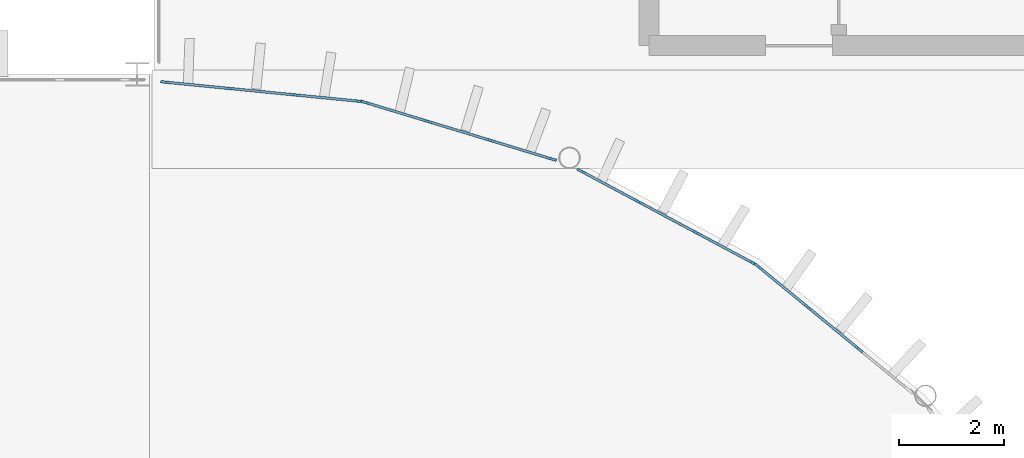
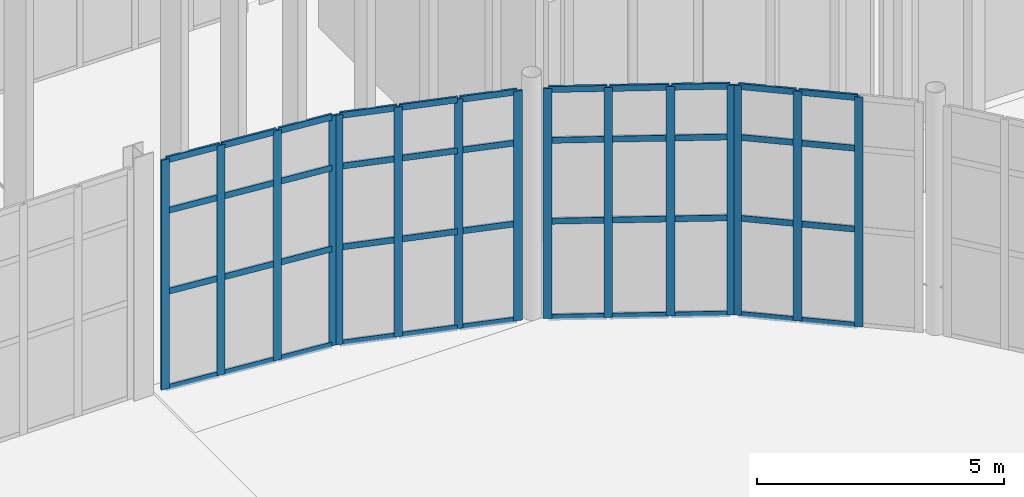
# One storey, part 62 of 139: 59 members, 4 elements without a shape of their own.
"""IFC4 building model written with IfcOpenShell, lengths in metres."""

from ifc_helpers import new_model, si_unit, direction, frame, origin, origin_2d, place, context, subcontext, project, spatial, rectangle, extrude, material, layer, layer_set, material_profile, profile_set, type_object, element, aggregate, save


model = new_model("IFC4")

# Units and contexts
model_context = context("Model", 3, precision=1e-05, world=origin(), true_north=direction((0.0, 1.0)))
body_context = subcontext(model_context, "Body", "Model", "MODEL_VIEW")
ifc_project = project(units=[si_unit("LENGTHUNIT", "METRE"), si_unit("AREAUNIT", "SQUARE_METRE"), si_unit("VOLUMEUNIT", "CUBIC_METRE"), si_unit("PLANEANGLEUNIT", "RADIAN"), si_unit("MASSUNIT", "GRAM", prefix="KILO")], contexts=[model_context])

# Site, building, storey
site_placement = place(None, origin())
site = spatial("IfcSite", under=ifc_project, at=site_placement, CompositionType="ELEMENT")
building_placement = place(site_placement, origin())
building = spatial("IfcBuilding", under=site, at=building_placement, Name="Yeouljin Market Hall", CompositionType="ELEMENT")
storey_placement = place(building_placement, origin())
storey = spatial("IfcBuildingStorey", under=building, at=storey_placement, Name="L00", CompositionType="ELEMENT", Elevation=0.0)

# Curtain wall, members
ifc_material_1 = material(Name="Thermally Broken Aluminium", Category="aluminium")
ifc_layer = layer(ifc_material_1, 0.179931640625)
ifc_layer_set = layer_set([ifc_layer], Name="Thermally Broken Aluminium")
curtain_wall_type = type_object("IfcCurtainWallType", Name="CW_ApseCurved_System", PredefinedType="USERDEFINED", material=ifc_layer_set)
curtain_wall_1_placement = place(storey_placement, origin())
curtain_wall_1 = element("IfcCurtainWall", 1, at=curtain_wall_1_placement, inside=storey, type_object=curtain_wall_type, Name="Curtain wall CW-AP-EL00-13", ObjectType="CURTAIN WALL", PredefinedType="USERDEFINED")
ifc_material_2 = material(Name="Thermally Broken Aluminium", Category="aluminium")
ifc_material_profile_1 = material_profile(ifc_material_2, rectangle(XDim=0.048095703125, YDim=0.179931640625, at=origin_2d()), Name="CW-MULL-48x180")
ifc_profile_set_1 = profile_set([ifc_material_profile_1], Name="Thermally Broken Aluminium")
member_type_1 = type_object("IfcMemberType", Name="CWMullion_48x180", PredefinedType="MULLION", material=ifc_profile_set_1)
member_1_placement = place(storey_placement, frame((152.649658203125, 74.320556640625, 0.0), z_axis=(0.0, 0.0, 1.0), x_axis=(0.634384432096, 0.773017717982, 0.0)))
member_1 = element("IfcMember", 2, at=member_1_placement, type_object=member_type_1, Name="CW-03 mullion 1", PredefinedType="MULLION", context=body_context, shape_type="SweptSolid", body=[
    extrude(rectangle(XDim=0.048095703125, YDim=0.179931640625, at=origin_2d()), origin(), (0.0, 0.0, 1.0), 5.679931640625),
])
member_2_placement = place(storey_placement, frame((153.603515625, 73.537841796875, 0.0), z_axis=(0.0, 0.0, 1.0), x_axis=(0.634384432096, 0.773017717982, 0.0)))
member_2 = element("IfcMember", 3, at=member_2_placement, type_object=member_type_1, Name="CW-03 mullion 2", PredefinedType="MULLION", context=body_context, shape_type="SweptSolid", body=[
    extrude(rectangle(XDim=0.048095703125, YDim=0.179931640625, at=origin_2d()), origin(), (0.0, 0.0, 1.0), 5.679931640625),
])
member_3_placement = place(storey_placement, frame((154.57568359375, 72.739990234375, 0.0), z_axis=(0.0, 0.0, 1.0), x_axis=(0.634384432096, 0.773017717982, 0.0)))
member_3 = element("IfcMember", 4, at=member_3_placement, type_object=member_type_1, Name="CW-03 mullion 3", PredefinedType="MULLION", context=body_context, shape_type="SweptSolid", body=[
    extrude(rectangle(XDim=0.048095703125, YDim=0.179931640625, at=origin_2d()), origin(), (0.0, 0.0, 1.0), 5.679931640625),
])

curtain_wall_2_placement = place(storey_placement, origin())
curtain_wall_2 = element("IfcCurtainWall", 5, at=curtain_wall_2_placement, inside=storey, type_object=curtain_wall_type, Name="Curtain wall CW-AP-EL00-14", ObjectType="CURTAIN WALL", PredefinedType="USERDEFINED")
member_4_placement = place(storey_placement, frame((149.258544921875, 76.147216796875, 0.0), z_axis=(0.0, 0.0, 1.0), x_axis=(0.471377626598, 0.881931478712, 0.0)))
member_4 = element("IfcMember", 6, at=member_4_placement, type_object=member_type_1, Name="CW-03 mullion 1", PredefinedType="MULLION", context=body_context, shape_type="SweptSolid", body=[
    extrude(rectangle(XDim=0.048095703125, YDim=0.179931640625, at=origin_2d()), origin(), (0.0, 0.0, 1.0), 5.679931640625),
])
member_5_placement = place(storey_placement, frame((150.346435546875, 75.565673828125, 0.0), z_axis=(0.0, 0.0, 1.0), x_axis=(0.471377626598, 0.881931478712, 0.0)))
member_5 = element("IfcMember", 7, at=member_5_placement, type_object=member_type_1, Name="CW-03 mullion 2", PredefinedType="MULLION", context=body_context, shape_type="SweptSolid", body=[
    extrude(rectangle(XDim=0.048095703125, YDim=0.179931640625, at=origin_2d()), origin(), (0.0, 0.0, 1.0), 5.679931640625),
])
member_6_placement = place(storey_placement, frame((151.455810546875, 74.972900390625, 0.0), z_axis=(0.0, 0.0, 1.0), x_axis=(0.471377626598, 0.881931478712, 0.0)))
member_6 = element("IfcMember", 8, at=member_6_placement, type_object=member_type_1, Name="CW-03 mullion 3", PredefinedType="MULLION", context=body_context, shape_type="SweptSolid", body=[
    extrude(rectangle(XDim=0.048095703125, YDim=0.179931640625, at=origin_2d()), origin(), (0.0, 0.0, 1.0), 5.679931640625),
])
member_7_placement = place(storey_placement, frame((152.5439453125, 74.391357421875, 0.0), z_axis=(0.0, 0.0, 1.0), x_axis=(0.471377626598, 0.881931478712, 0.0)))
member_7 = element("IfcMember", 9, at=member_7_placement, type_object=member_type_1, Name="CW-03 mullion 4", PredefinedType="MULLION", context=body_context, shape_type="SweptSolid", body=[
    extrude(rectangle(XDim=0.048095703125, YDim=0.179931640625, at=origin_2d()), origin(), (0.0, 0.0, 1.0), 5.679931640625),
])

curtain_wall_3_placement = place(storey_placement, origin())
curtain_wall_3 = element("IfcCurtainWall", 10, at=curtain_wall_3_placement, inside=storey, type_object=curtain_wall_type, Name="Curtain wall CW-AP-EL00-15", ObjectType="CURTAIN WALL", PredefinedType="USERDEFINED")
member_8_placement = place(storey_placement, frame((145.134765625, 77.460205078125, 0.0), z_axis=(0.0, 0.0, 1.0), x_axis=(0.290286164863, 0.95693988447, 0.0)))
member_8 = element("IfcMember", 11, at=member_8_placement, type_object=member_type_1, Name="CW-03 mullion 1", PredefinedType="MULLION", context=body_context, shape_type="SweptSolid", body=[
    extrude(rectangle(XDim=0.048095703125, YDim=0.179931640625, at=origin_2d()), origin(), (0.0, 0.0, 1.0), 5.679931640625),
])
member_9_placement = place(storey_placement, frame((146.3154296875, 77.10205078125, 0.0), z_axis=(0.0, 0.0, 1.0), x_axis=(0.290286164863, 0.95693988447, 0.0)))
member_9 = element("IfcMember", 12, at=member_9_placement, type_object=member_type_1, Name="CW-03 mullion 2", PredefinedType="MULLION", context=body_context, shape_type="SweptSolid", body=[
    extrude(rectangle(XDim=0.048095703125, YDim=0.179931640625, at=origin_2d()), origin(), (0.0, 0.0, 1.0), 5.679931640625),
])
member_10_placement = place(storey_placement, frame((147.51904296875, 76.737060546875, 0.0), z_axis=(0.0, 0.0, 1.0), x_axis=(0.290286164863, 0.95693988447, 0.0)))
member_10 = element("IfcMember", 13, at=member_10_placement, type_object=member_type_1, Name="CW-03 mullion 3", PredefinedType="MULLION", context=body_context, shape_type="SweptSolid", body=[
    extrude(rectangle(XDim=0.048095703125, YDim=0.179931640625, at=origin_2d()), origin(), (0.0, 0.0, 1.0), 5.679931640625),
])
member_11_placement = place(storey_placement, frame((148.699462890625, 76.37890625, 0.0), z_axis=(0.0, 0.0, 1.0), x_axis=(0.290286164863, 0.95693988447, 0.0)))
member_11 = element("IfcMember", 14, at=member_11_placement, type_object=member_type_1, Name="CW-03 mullion 4", PredefinedType="MULLION", context=body_context, shape_type="SweptSolid", body=[
    extrude(rectangle(XDim=0.048095703125, YDim=0.179931640625, at=origin_2d()), origin(), (0.0, 0.0, 1.0), 5.679931640625),
])

curtain_wall_4_placement = place(storey_placement, origin())
curtain_wall_4 = element("IfcCurtainWall", 15, at=curtain_wall_4_placement, inside=storey, type_object=curtain_wall_type, Name="Curtain wall CW-AP-EL00-16", ObjectType="CURTAIN WALL", PredefinedType="USERDEFINED")
member_12_placement = place(storey_placement, frame((141.302490234375, 77.850341796875, 0.0), z_axis=(0.0, 0.0, 1.0), x_axis=(0.09803414403, 0.995183051807, 0.0)))
member_12 = element("IfcMember", 16, at=member_12_placement, type_object=member_type_1, Name="CW-03 mullion 1", PredefinedType="MULLION", context=body_context, shape_type="SweptSolid", body=[
    extrude(rectangle(XDim=0.048095703125, YDim=0.179931640625, at=origin_2d()), origin(), (0.0, 0.0, 1.0), 5.679931640625),
])
member_13_placement = place(storey_placement, frame((142.5302734375, 77.729248046875, 0.0), z_axis=(0.0, 0.0, 1.0), x_axis=(0.09803414403, 0.995183051807, 0.0)))
member_13 = element("IfcMember", 17, at=member_13_placement, type_object=member_type_1, Name="CW-03 mullion 2", PredefinedType="MULLION", context=body_context, shape_type="SweptSolid", body=[
    extrude(rectangle(XDim=0.048095703125, YDim=0.179931640625, at=origin_2d()), origin(), (0.0, 0.0, 1.0), 5.679931640625),
])
member_14_placement = place(storey_placement, frame((143.781982421875, 77.60595703125, 0.0), z_axis=(0.0, 0.0, 1.0), x_axis=(0.09803414403, 0.995183051807, 0.0)))
member_14 = element("IfcMember", 18, at=member_14_placement, type_object=member_type_1, Name="CW-03 mullion 3", PredefinedType="MULLION", context=body_context, shape_type="SweptSolid", body=[
    extrude(rectangle(XDim=0.048095703125, YDim=0.179931640625, at=origin_2d()), origin(), (0.0, 0.0, 1.0), 5.679931640625),
])
member_15_placement = place(storey_placement, frame((145.009765625, 77.485107421875, 0.0), z_axis=(0.0, 0.0, 1.0), x_axis=(0.09803414403, 0.995183051807, 0.0)))
member_15 = element("IfcMember", 19, at=member_15_placement, type_object=member_type_1, Name="CW-03 mullion 4", PredefinedType="MULLION", context=body_context, shape_type="SweptSolid", body=[
    extrude(rectangle(XDim=0.048095703125, YDim=0.179931640625, at=origin_2d()), origin(), (0.0, 0.0, 1.0), 5.679931640625),
])

# Member
ifc_material_3 = material(Name="Thermally Broken Aluminium", Category="aluminium")
ifc_material_profile_2 = material_profile(ifc_material_3, rectangle(XDim=0.048095703125, YDim=0.14990234375, at=origin_2d()), Name="CW-TRAN-48x150")
ifc_profile_set_2 = profile_set([ifc_material_profile_2], Name="Thermally Broken Aluminium")
member_type_2 = type_object("IfcMemberType", Name="CWTransom_48x150", PredefinedType="USERDEFINED", material=ifc_profile_set_2)
member_16_placement = place(storey_placement, frame((152.668212890625, 74.30517578125, 0.02392578125), z_axis=(0.773075959133, -0.634313456748, 0.0), x_axis=(0.634313456748, 0.773075959133, 0.0)))
member_16 = element("IfcMember", 20, at=member_16_placement, type_object=member_type_2, Name="CW-03 transom 1.1", ObjectType="TRANSOM", PredefinedType="USERDEFINED", context=body_context, shape_type="SweptSolid", body=[
    extrude(rectangle(XDim=0.048095703125, YDim=0.14990234375, at=origin_2d()), origin(), (0.0, 0.0, 1.0), 1.185791015625),
])

member_17_placement = place(storey_placement, frame((152.668212890625, 74.30517578125, 2.39990234375), z_axis=(0.773075959133, -0.634313456748, 0.0), x_axis=(0.634313456748, 0.773075959133, 0.0)))
member_17 = element("IfcMember", 21, at=member_17_placement, type_object=member_type_2, Name="CW-03 transom 1.2", ObjectType="TRANSOM", PredefinedType="USERDEFINED", context=body_context, shape_type="SweptSolid", body=[
    extrude(rectangle(XDim=0.048095703125, YDim=0.14990234375, at=origin_2d()), origin(), (0.0, 0.0, 1.0), 1.185791015625),
])

member_18_placement = place(storey_placement, frame((152.668212890625, 74.30517578125, 4.39990234375), z_axis=(0.773075959133, -0.634313456748, 0.0), x_axis=(0.634313456748, 0.773075959133, 0.0)))
member_18 = element("IfcMember", 22, at=member_18_placement, type_object=member_type_2, Name="CW-03 transom 1.3", ObjectType="TRANSOM", PredefinedType="USERDEFINED", context=body_context, shape_type="SweptSolid", body=[
    extrude(rectangle(XDim=0.048095703125, YDim=0.14990234375, at=origin_2d()), origin(), (0.0, 0.0, 1.0), 1.185791015625),
])

member_19_placement = place(storey_placement, frame((152.668212890625, 74.30517578125, 5.656005859375), z_axis=(0.773075959133, -0.634313456748, 0.0), x_axis=(0.634313456748, 0.773075959133, 0.0)))
member_19 = element("IfcMember", 23, at=member_19_placement, type_object=member_type_2, Name="CW-03 transom 1.4", ObjectType="TRANSOM", PredefinedType="USERDEFINED", context=body_context, shape_type="SweptSolid", body=[
    extrude(rectangle(XDim=0.048095703125, YDim=0.14990234375, at=origin_2d()), origin(), (0.0, 0.0, 1.0), 1.185791015625),
])

member_20_placement = place(storey_placement, frame((153.6220703125, 73.5224609375, 0.02392578125), z_axis=(0.773030225846, -0.634369190557, 0.0), x_axis=(0.634369190557, 0.773030225846, 0.0)))
member_20 = element("IfcMember", 24, at=member_20_placement, type_object=member_type_2, Name="CW-03 transom 2.1", ObjectType="TRANSOM", PredefinedType="USERDEFINED", context=body_context, shape_type="SweptSolid", body=[
    extrude(rectangle(XDim=0.048095703125, YDim=0.14990234375, at=origin_2d()), origin(), (0.0, 0.0, 1.0), 1.209716796875),
])

member_21_placement = place(storey_placement, frame((153.6220703125, 73.5224609375, 2.39990234375), z_axis=(0.773030225846, -0.634369190557, 0.0), x_axis=(0.634369190557, 0.773030225846, 0.0)))
member_21 = element("IfcMember", 25, at=member_21_placement, type_object=member_type_2, Name="CW-03 transom 2.2", ObjectType="TRANSOM", PredefinedType="USERDEFINED", context=body_context, shape_type="SweptSolid", body=[
    extrude(rectangle(XDim=0.048095703125, YDim=0.14990234375, at=origin_2d()), origin(), (0.0, 0.0, 1.0), 1.209716796875),
])

member_22_placement = place(storey_placement, frame((153.6220703125, 73.5224609375, 4.39990234375), z_axis=(0.773030225846, -0.634369190557, 0.0), x_axis=(0.634369190557, 0.773030225846, 0.0)))
member_22 = element("IfcMember", 26, at=member_22_placement, type_object=member_type_2, Name="CW-03 transom 2.3", ObjectType="TRANSOM", PredefinedType="USERDEFINED", context=body_context, shape_type="SweptSolid", body=[
    extrude(rectangle(XDim=0.048095703125, YDim=0.14990234375, at=origin_2d()), origin(), (0.0, 0.0, 1.0), 1.209716796875),
])

member_23_placement = place(storey_placement, frame((153.6220703125, 73.5224609375, 5.656005859375), z_axis=(0.773030225846, -0.634369190557, 0.0), x_axis=(0.634369190557, 0.773030225846, 0.0)))
member_23 = element("IfcMember", 27, at=member_23_placement, type_object=member_type_2, Name="CW-03 transom 2.4", ObjectType="TRANSOM", PredefinedType="USERDEFINED", context=body_context, shape_type="SweptSolid", body=[
    extrude(rectangle(XDim=0.048095703125, YDim=0.14990234375, at=origin_2d()), origin(), (0.0, 0.0, 1.0), 1.209716796875),
])

aggregate(curtain_wall_1, [member_1, member_2, member_3, member_16, member_17, member_18, member_19, member_20, member_21, member_22, member_23])

member_24_placement = place(storey_placement, frame((149.279541015625, 76.135986328125, 0.02392578125), z_axis=(0.881993639521, -0.471261307391, 0.0), x_axis=(0.471261307391, 0.881993639521, 0.0)))
member_24 = element("IfcMember", 28, at=member_24_placement, type_object=member_type_2, Name="CW-03 transom 1.1", ObjectType="TRANSOM", PredefinedType="USERDEFINED", context=body_context, shape_type="SweptSolid", body=[
    extrude(rectangle(XDim=0.048095703125, YDim=0.14990234375, at=origin_2d()), origin(), (0.0, 0.0, 1.0), 1.185791015625),
])

member_25_placement = place(storey_placement, frame((149.279541015625, 76.135986328125, 2.39990234375), z_axis=(0.881993639521, -0.471261307391, 0.0), x_axis=(0.471261307391, 0.881993639521, 0.0)))
member_25 = element("IfcMember", 29, at=member_25_placement, type_object=member_type_2, Name="CW-03 transom 1.2", ObjectType="TRANSOM", PredefinedType="USERDEFINED", context=body_context, shape_type="SweptSolid", body=[
    extrude(rectangle(XDim=0.048095703125, YDim=0.14990234375, at=origin_2d()), origin(), (0.0, 0.0, 1.0), 1.185791015625),
])

member_26_placement = place(storey_placement, frame((149.279541015625, 76.135986328125, 4.39990234375), z_axis=(0.881993639521, -0.471261307391, 0.0), x_axis=(0.471261307391, 0.881993639521, 0.0)))
member_26 = element("IfcMember", 30, at=member_26_placement, type_object=member_type_2, Name="CW-03 transom 1.3", ObjectType="TRANSOM", PredefinedType="USERDEFINED", context=body_context, shape_type="SweptSolid", body=[
    extrude(rectangle(XDim=0.048095703125, YDim=0.14990234375, at=origin_2d()), origin(), (0.0, 0.0, 1.0), 1.185791015625),
])

member_27_placement = place(storey_placement, frame((149.279541015625, 76.135986328125, 5.656005859375), z_axis=(0.881993639521, -0.471261307391, 0.0), x_axis=(0.471261307391, 0.881993639521, 0.0)))
member_27 = element("IfcMember", 31, at=member_27_placement, type_object=member_type_2, Name="CW-03 transom 1.4", ObjectType="TRANSOM", PredefinedType="USERDEFINED", context=body_context, shape_type="SweptSolid", body=[
    extrude(rectangle(XDim=0.048095703125, YDim=0.14990234375, at=origin_2d()), origin(), (0.0, 0.0, 1.0), 1.185791015625),
])

member_28_placement = place(storey_placement, frame((150.36767578125, 75.554443359375, 0.02392578125), z_axis=(0.881905630458, -0.471425984611, 0.0), x_axis=(0.471425984611, 0.881905630458, 0.0)))
member_28 = element("IfcMember", 32, at=member_28_placement, type_object=member_type_2, Name="CW-03 transom 2.1", ObjectType="TRANSOM", PredefinedType="USERDEFINED", context=body_context, shape_type="SweptSolid", body=[
    extrude(rectangle(XDim=0.048095703125, YDim=0.14990234375, at=origin_2d()), origin(), (0.0, 0.0, 1.0), 1.209716796875),
])

member_29_placement = place(storey_placement, frame((150.36767578125, 75.554443359375, 2.39990234375), z_axis=(0.881905630458, -0.471425984611, 0.0), x_axis=(0.471425984611, 0.881905630458, 0.0)))
member_29 = element("IfcMember", 33, at=member_29_placement, type_object=member_type_2, Name="CW-03 transom 2.2", ObjectType="TRANSOM", PredefinedType="USERDEFINED", context=body_context, shape_type="SweptSolid", body=[
    extrude(rectangle(XDim=0.048095703125, YDim=0.14990234375, at=origin_2d()), origin(), (0.0, 0.0, 1.0), 1.209716796875),
])

member_30_placement = place(storey_placement, frame((150.36767578125, 75.554443359375, 4.39990234375), z_axis=(0.881905630458, -0.471425984611, 0.0), x_axis=(0.471425984611, 0.881905630458, 0.0)))
member_30 = element("IfcMember", 34, at=member_30_placement, type_object=member_type_2, Name="CW-03 transom 2.3", ObjectType="TRANSOM", PredefinedType="USERDEFINED", context=body_context, shape_type="SweptSolid", body=[
    extrude(rectangle(XDim=0.048095703125, YDim=0.14990234375, at=origin_2d()), origin(), (0.0, 0.0, 1.0), 1.209716796875),
])

member_31_placement = place(storey_placement, frame((150.36767578125, 75.554443359375, 5.656005859375), z_axis=(0.881905630458, -0.471425984611, 0.0), x_axis=(0.471425984611, 0.881905630458, 0.0)))
member_31 = element("IfcMember", 35, at=member_31_placement, type_object=member_type_2, Name="CW-03 transom 2.4", ObjectType="TRANSOM", PredefinedType="USERDEFINED", context=body_context, shape_type="SweptSolid", body=[
    extrude(rectangle(XDim=0.048095703125, YDim=0.14990234375, at=origin_2d()), origin(), (0.0, 0.0, 1.0), 1.209716796875),
])

member_32_placement = place(storey_placement, frame((151.47705078125, 74.961669921875, 0.02392578125), z_axis=(0.881862296401, -0.471507041503, 0.0), x_axis=(0.471507041503, 0.881862296401, 0.0)))
member_32 = element("IfcMember", 36, at=member_32_placement, type_object=member_type_2, Name="CW-03 transom 3.1", ObjectType="TRANSOM", PredefinedType="USERDEFINED", context=body_context, shape_type="SweptSolid", body=[
    extrude(rectangle(XDim=0.048095703125, YDim=0.14990234375, at=origin_2d()), origin(), (0.0, 0.0, 1.0), 1.185791015625),
])

member_33_placement = place(storey_placement, frame((151.47705078125, 74.961669921875, 2.39990234375), z_axis=(0.881862296401, -0.471507041503, 0.0), x_axis=(0.471507041503, 0.881862296401, 0.0)))
member_33 = element("IfcMember", 37, at=member_33_placement, type_object=member_type_2, Name="CW-03 transom 3.2", ObjectType="TRANSOM", PredefinedType="USERDEFINED", context=body_context, shape_type="SweptSolid", body=[
    extrude(rectangle(XDim=0.048095703125, YDim=0.14990234375, at=origin_2d()), origin(), (0.0, 0.0, 1.0), 1.185791015625),
])

member_34_placement = place(storey_placement, frame((151.47705078125, 74.961669921875, 4.39990234375), z_axis=(0.881862296401, -0.471507041503, 0.0), x_axis=(0.471507041503, 0.881862296401, 0.0)))
member_34 = element("IfcMember", 38, at=member_34_placement, type_object=member_type_2, Name="CW-03 transom 3.3", ObjectType="TRANSOM", PredefinedType="USERDEFINED", context=body_context, shape_type="SweptSolid", body=[
    extrude(rectangle(XDim=0.048095703125, YDim=0.14990234375, at=origin_2d()), origin(), (0.0, 0.0, 1.0), 1.185791015625),
])

member_35_placement = place(storey_placement, frame((151.47705078125, 74.961669921875, 5.656005859375), z_axis=(0.881862296401, -0.471507041503, 0.0), x_axis=(0.471507041503, 0.881862296401, 0.0)))
member_35 = element("IfcMember", 39, at=member_35_placement, type_object=member_type_2, Name="CW-03 transom 3.4", ObjectType="TRANSOM", PredefinedType="USERDEFINED", context=body_context, shape_type="SweptSolid", body=[
    extrude(rectangle(XDim=0.048095703125, YDim=0.14990234375, at=origin_2d()), origin(), (0.0, 0.0, 1.0), 1.185791015625),
])

aggregate(curtain_wall_2, [member_4, member_5, member_6, member_7, member_24, member_25, member_26, member_27, member_28, member_29, member_30, member_31, member_32, member_33, member_34, member_35])

member_36_placement = place(storey_placement, frame((145.15771484375, 77.453369140625, 0.02392578125), z_axis=(0.956937784149, -0.290293088565, 0.0), x_axis=(0.290293088565, 0.956937784149, 0.0)))
member_36 = element("IfcMember", 40, at=member_36_placement, type_object=member_type_2, Name="CW-03 transom 1.1", ObjectType="TRANSOM", PredefinedType="USERDEFINED", context=body_context, shape_type="SweptSolid", body=[
    extrude(rectangle(XDim=0.048095703125, YDim=0.14990234375, at=origin_2d()), origin(), (0.0, 0.0, 1.0), 1.185791015625),
])

member_37_placement = place(storey_placement, frame((145.15771484375, 77.453369140625, 2.39990234375), z_axis=(0.956937784149, -0.290293088565, 0.0), x_axis=(0.290293088565, 0.956937784149, 0.0)))
member_37 = element("IfcMember", 41, at=member_37_placement, type_object=member_type_2, Name="CW-03 transom 1.2", ObjectType="TRANSOM", PredefinedType="USERDEFINED", context=body_context, shape_type="SweptSolid", body=[
    extrude(rectangle(XDim=0.048095703125, YDim=0.14990234375, at=origin_2d()), origin(), (0.0, 0.0, 1.0), 1.185791015625),
])

member_38_placement = place(storey_placement, frame((145.15771484375, 77.453369140625, 4.39990234375), z_axis=(0.956937784149, -0.290293088565, 0.0), x_axis=(0.290293088565, 0.956937784149, 0.0)))
member_38 = element("IfcMember", 42, at=member_38_placement, type_object=member_type_2, Name="CW-03 transom 1.3", ObjectType="TRANSOM", PredefinedType="USERDEFINED", context=body_context, shape_type="SweptSolid", body=[
    extrude(rectangle(XDim=0.048095703125, YDim=0.14990234375, at=origin_2d()), origin(), (0.0, 0.0, 1.0), 1.185791015625),
])

member_39_placement = place(storey_placement, frame((145.15771484375, 77.453369140625, 5.656005859375), z_axis=(0.956937784149, -0.290293088565, 0.0), x_axis=(0.290293088565, 0.956937784149, 0.0)))
member_39 = element("IfcMember", 43, at=member_39_placement, type_object=member_type_2, Name="CW-03 transom 1.4", ObjectType="TRANSOM", PredefinedType="USERDEFINED", context=body_context, shape_type="SweptSolid", body=[
    extrude(rectangle(XDim=0.048095703125, YDim=0.14990234375, at=origin_2d()), origin(), (0.0, 0.0, 1.0), 1.185791015625),
])

member_40_placement = place(storey_placement, frame((146.33837890625, 77.09521484375, 0.02392578125), z_axis=(0.956893599111, -0.29043870262, 0.0), x_axis=(0.29043870262, 0.956893599111, 0.0)))
member_40 = element("IfcMember", 44, at=member_40_placement, type_object=member_type_2, Name="CW-03 transom 2.1", ObjectType="TRANSOM", PredefinedType="USERDEFINED", context=body_context, shape_type="SweptSolid", body=[
    extrude(rectangle(XDim=0.048095703125, YDim=0.14990234375, at=origin_2d()), origin(), (0.0, 0.0, 1.0), 1.209716796875),
])

member_41_placement = place(storey_placement, frame((146.33837890625, 77.09521484375, 2.39990234375), z_axis=(0.956893599111, -0.29043870262, 0.0), x_axis=(0.29043870262, 0.956893599111, 0.0)))
member_41 = element("IfcMember", 45, at=member_41_placement, type_object=member_type_2, Name="CW-03 transom 2.2", ObjectType="TRANSOM", PredefinedType="USERDEFINED", context=body_context, shape_type="SweptSolid", body=[
    extrude(rectangle(XDim=0.048095703125, YDim=0.14990234375, at=origin_2d()), origin(), (0.0, 0.0, 1.0), 1.209716796875),
])

member_42_placement = place(storey_placement, frame((146.33837890625, 77.09521484375, 4.39990234375), z_axis=(0.956893599111, -0.29043870262, 0.0), x_axis=(0.29043870262, 0.956893599111, 0.0)))
member_42 = element("IfcMember", 46, at=member_42_placement, type_object=member_type_2, Name="CW-03 transom 2.3", ObjectType="TRANSOM", PredefinedType="USERDEFINED", context=body_context, shape_type="SweptSolid", body=[
    extrude(rectangle(XDim=0.048095703125, YDim=0.14990234375, at=origin_2d()), origin(), (0.0, 0.0, 1.0), 1.209716796875),
])

member_43_placement = place(storey_placement, frame((146.33837890625, 77.09521484375, 5.656005859375), z_axis=(0.956893599111, -0.29043870262, 0.0), x_axis=(0.29043870262, 0.956893599111, 0.0)))
member_43 = element("IfcMember", 47, at=member_43_placement, type_object=member_type_2, Name="CW-03 transom 2.4", ObjectType="TRANSOM", PredefinedType="USERDEFINED", context=body_context, shape_type="SweptSolid", body=[
    extrude(rectangle(XDim=0.048095703125, YDim=0.14990234375, at=origin_2d()), origin(), (0.0, 0.0, 1.0), 1.209716796875),
])

member_44_placement = place(storey_placement, frame((147.5419921875, 76.72998046875, 0.02392578125), z_axis=(0.95692042936, -0.290350291671, 0.0), x_axis=(0.290350291671, 0.95692042936, 0.0)))
member_44 = element("IfcMember", 48, at=member_44_placement, type_object=member_type_2, Name="CW-03 transom 3.1", ObjectType="TRANSOM", PredefinedType="USERDEFINED", context=body_context, shape_type="SweptSolid", body=[
    extrude(rectangle(XDim=0.048095703125, YDim=0.14990234375, at=origin_2d()), origin(), (0.0, 0.0, 1.0), 1.185546875),
])

member_45_placement = place(storey_placement, frame((147.5419921875, 76.72998046875, 2.39990234375), z_axis=(0.95692042936, -0.290350291671, 0.0), x_axis=(0.290350291671, 0.95692042936, 0.0)))
member_45 = element("IfcMember", 49, at=member_45_placement, type_object=member_type_2, Name="CW-03 transom 3.2", ObjectType="TRANSOM", PredefinedType="USERDEFINED", context=body_context, shape_type="SweptSolid", body=[
    extrude(rectangle(XDim=0.048095703125, YDim=0.14990234375, at=origin_2d()), origin(), (0.0, 0.0, 1.0), 1.185546875),
])

member_46_placement = place(storey_placement, frame((147.5419921875, 76.72998046875, 4.39990234375), z_axis=(0.95692042936, -0.290350291671, 0.0), x_axis=(0.290350291671, 0.95692042936, 0.0)))
member_46 = element("IfcMember", 50, at=member_46_placement, type_object=member_type_2, Name="CW-03 transom 3.3", ObjectType="TRANSOM", PredefinedType="USERDEFINED", context=body_context, shape_type="SweptSolid", body=[
    extrude(rectangle(XDim=0.048095703125, YDim=0.14990234375, at=origin_2d()), origin(), (0.0, 0.0, 1.0), 1.185546875),
])

member_47_placement = place(storey_placement, frame((147.5419921875, 76.72998046875, 5.656005859375), z_axis=(0.95692042936, -0.290350291671, 0.0), x_axis=(0.290350291671, 0.95692042936, 0.0)))
member_47 = element("IfcMember", 51, at=member_47_placement, type_object=member_type_2, Name="CW-03 transom 3.4", ObjectType="TRANSOM", PredefinedType="USERDEFINED", context=body_context, shape_type="SweptSolid", body=[
    extrude(rectangle(XDim=0.048095703125, YDim=0.14990234375, at=origin_2d()), origin(), (0.0, 0.0, 1.0), 1.185546875),
])

aggregate(curtain_wall_3, [member_8, member_9, member_10, member_11, member_36, member_37, member_38, member_39, member_40, member_41, member_42, member_43, member_44, member_45, member_46, member_47])

member_48_placement = place(storey_placement, frame((141.326416015625, 77.847900390625, 0.02392578125), z_axis=(0.995186884102, -0.097995233106, 0.0), x_axis=(0.097995233106, 0.995186884102, 0.0)))
member_48 = element("IfcMember", 52, at=member_48_placement, type_object=member_type_2, Name="CW-03 transom 1.1", ObjectType="TRANSOM", PredefinedType="USERDEFINED", context=body_context, shape_type="SweptSolid", body=[
    extrude(rectangle(XDim=0.048095703125, YDim=0.14990234375, at=origin_2d()), origin(), (0.0, 0.0, 1.0), 1.185791015625),
])

member_49_placement = place(storey_placement, frame((141.326416015625, 77.847900390625, 2.39990234375), z_axis=(0.995186884102, -0.097995233106, 0.0), x_axis=(0.097995233106, 0.995186884102, 0.0)))
member_49 = element("IfcMember", 53, at=member_49_placement, type_object=member_type_2, Name="CW-03 transom 1.2", ObjectType="TRANSOM", PredefinedType="USERDEFINED", context=body_context, shape_type="SweptSolid", body=[
    extrude(rectangle(XDim=0.048095703125, YDim=0.14990234375, at=origin_2d()), origin(), (0.0, 0.0, 1.0), 1.185791015625),
])

member_50_placement = place(storey_placement, frame((141.326416015625, 77.847900390625, 4.39990234375), z_axis=(0.995186884102, -0.097995233106, 0.0), x_axis=(0.097995233106, 0.995186884102, 0.0)))
member_50 = element("IfcMember", 54, at=member_50_placement, type_object=member_type_2, Name="CW-03 transom 1.3", ObjectType="TRANSOM", PredefinedType="USERDEFINED", context=body_context, shape_type="SweptSolid", body=[
    extrude(rectangle(XDim=0.048095703125, YDim=0.14990234375, at=origin_2d()), origin(), (0.0, 0.0, 1.0), 1.185791015625),
])

member_51_placement = place(storey_placement, frame((141.326416015625, 77.847900390625, 5.656005859375), z_axis=(0.995186884102, -0.097995233106, 0.0), x_axis=(0.097995233106, 0.995186884102, 0.0)))
member_51 = element("IfcMember", 55, at=member_51_placement, type_object=member_type_2, Name="CW-03 transom 1.4", ObjectType="TRANSOM", PredefinedType="USERDEFINED", context=body_context, shape_type="SweptSolid", body=[
    extrude(rectangle(XDim=0.048095703125, YDim=0.14990234375, at=origin_2d()), origin(), (0.0, 0.0, 1.0), 1.185791015625),
])

member_52_placement = place(storey_placement, frame((142.55419921875, 77.72705078125, 0.02392578125), z_axis=(0.995178052762, -0.098084878045, 0.0), x_axis=(0.098084878045, 0.995178052762, 0.0)))
member_52 = element("IfcMember", 56, at=member_52_placement, type_object=member_type_2, Name="CW-03 transom 2.1", ObjectType="TRANSOM", PredefinedType="USERDEFINED", context=body_context, shape_type="SweptSolid", body=[
    extrude(rectangle(XDim=0.048095703125, YDim=0.14990234375, at=origin_2d()), origin(), (0.0, 0.0, 1.0), 1.209716796875),
])

member_53_placement = place(storey_placement, frame((142.55419921875, 77.72705078125, 2.39990234375), z_axis=(0.995178052762, -0.098084878045, 0.0), x_axis=(0.098084878045, 0.995178052762, 0.0)))
member_53 = element("IfcMember", 57, at=member_53_placement, type_object=member_type_2, Name="CW-03 transom 2.2", ObjectType="TRANSOM", PredefinedType="USERDEFINED", context=body_context, shape_type="SweptSolid", body=[
    extrude(rectangle(XDim=0.048095703125, YDim=0.14990234375, at=origin_2d()), origin(), (0.0, 0.0, 1.0), 1.209716796875),
])

member_54_placement = place(storey_placement, frame((142.55419921875, 77.72705078125, 4.39990234375), z_axis=(0.995178052762, -0.098084878045, 0.0), x_axis=(0.098084878045, 0.995178052762, 0.0)))
member_54 = element("IfcMember", 58, at=member_54_placement, type_object=member_type_2, Name="CW-03 transom 2.3", ObjectType="TRANSOM", PredefinedType="USERDEFINED", context=body_context, shape_type="SweptSolid", body=[
    extrude(rectangle(XDim=0.048095703125, YDim=0.14990234375, at=origin_2d()), origin(), (0.0, 0.0, 1.0), 1.209716796875),
])

member_55_placement = place(storey_placement, frame((142.55419921875, 77.72705078125, 5.656005859375), z_axis=(0.995178052762, -0.098084878045, 0.0), x_axis=(0.098084878045, 0.995178052762, 0.0)))
member_55 = element("IfcMember", 59, at=member_55_placement, type_object=member_type_2, Name="CW-03 transom 2.4", ObjectType="TRANSOM", PredefinedType="USERDEFINED", context=body_context, shape_type="SweptSolid", body=[
    extrude(rectangle(XDim=0.048095703125, YDim=0.14990234375, at=origin_2d()), origin(), (0.0, 0.0, 1.0), 1.209716796875),
])

member_56_placement = place(storey_placement, frame((143.805908203125, 77.603759765625, 0.02392578125), z_axis=(0.995164800405, -0.098219244733, 0.0), x_axis=(0.098219244733, 0.995164800405, 0.0)))
member_56 = element("IfcMember", 60, at=member_56_placement, type_object=member_type_2, Name="CW-03 transom 3.1", ObjectType="TRANSOM", PredefinedType="USERDEFINED", context=body_context, shape_type="SweptSolid", body=[
    extrude(rectangle(XDim=0.048095703125, YDim=0.14990234375, at=origin_2d()), origin(), (0.0, 0.0, 1.0), 1.185546875),
])

member_57_placement = place(storey_placement, frame((143.805908203125, 77.603759765625, 2.39990234375), z_axis=(0.995164800405, -0.098219244733, 0.0), x_axis=(0.098219244733, 0.995164800405, 0.0)))
member_57 = element("IfcMember", 61, at=member_57_placement, type_object=member_type_2, Name="CW-03 transom 3.2", ObjectType="TRANSOM", PredefinedType="USERDEFINED", context=body_context, shape_type="SweptSolid", body=[
    extrude(rectangle(XDim=0.048095703125, YDim=0.14990234375, at=origin_2d()), origin(), (0.0, 0.0, 1.0), 1.185546875),
])

member_58_placement = place(storey_placement, frame((143.805908203125, 77.603759765625, 4.39990234375), z_axis=(0.995164800405, -0.098219244733, 0.0), x_axis=(0.098219244733, 0.995164800405, 0.0)))
member_58 = element("IfcMember", 62, at=member_58_placement, type_object=member_type_2, Name="CW-03 transom 3.3", ObjectType="TRANSOM", PredefinedType="USERDEFINED", context=body_context, shape_type="SweptSolid", body=[
    extrude(rectangle(XDim=0.048095703125, YDim=0.14990234375, at=origin_2d()), origin(), (0.0, 0.0, 1.0), 1.185546875),
])

member_59_placement = place(storey_placement, frame((143.805908203125, 77.603759765625, 5.656005859375), z_axis=(0.995164800405, -0.098219244733, 0.0), x_axis=(0.098219244733, 0.995164800405, 0.0)))
member_59 = element("IfcMember", 63, at=member_59_placement, type_object=member_type_2, Name="CW-03 transom 3.4", ObjectType="TRANSOM", PredefinedType="USERDEFINED", context=body_context, shape_type="SweptSolid", body=[
    extrude(rectangle(XDim=0.048095703125, YDim=0.14990234375, at=origin_2d()), origin(), (0.0, 0.0, 1.0), 1.185546875),
])

aggregate(curtain_wall_4, [member_12, member_13, member_14, member_15, member_48, member_49, member_50, member_51, member_52, member_53, member_54, member_55, member_56, member_57, member_58, member_59])

save(model, "model.ifc")
